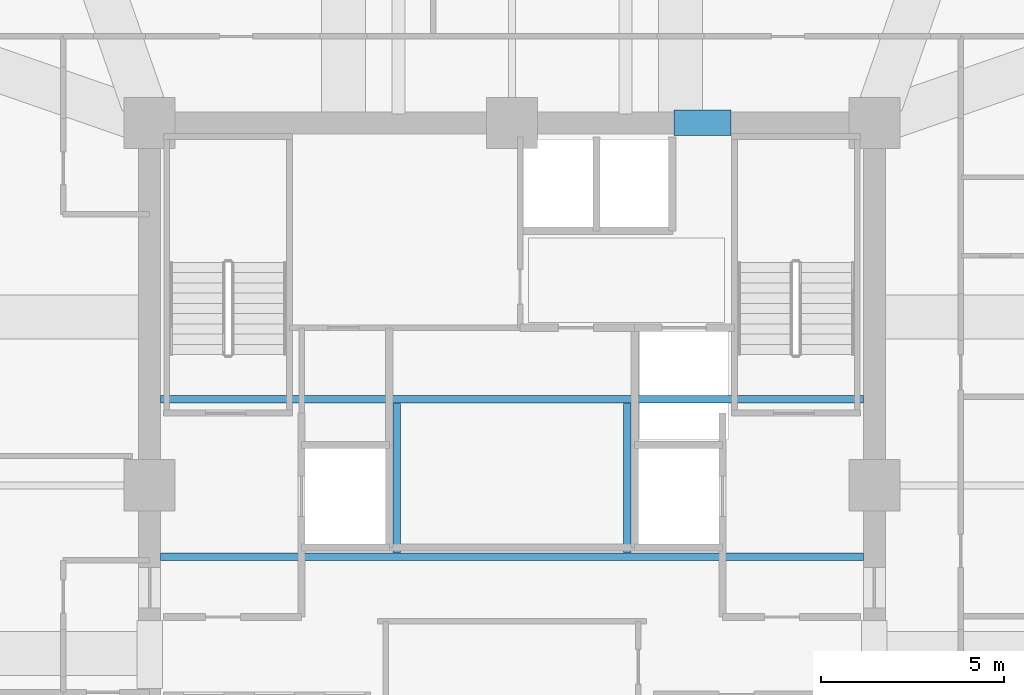
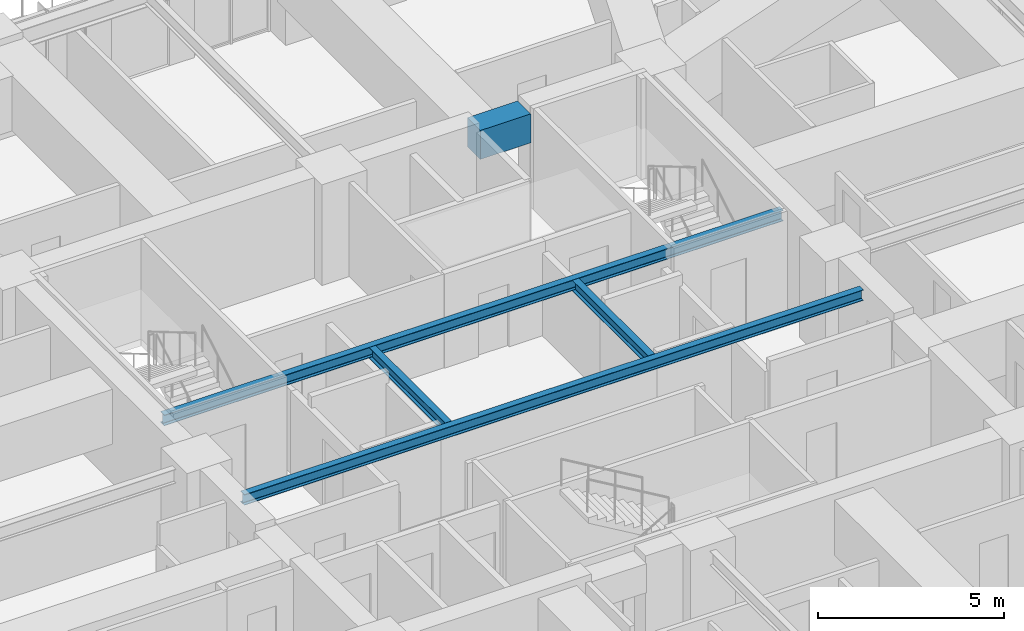
# One storey, part 11 of 34: 5 beams.
"""IFC4 building model written with IfcOpenShell, lengths in metres."""

from ifc_helpers import new_model, si_unit, direction, frame, origin, origin_2d, place, context, subcontext, project, spatial, rectangle, i_section, extrude, material, material_profile, profile_set, type_object, element, save


model = new_model("IFC4")

# Units and contexts
model_context = context("Model", 3, precision=1e-05, world=origin(), true_north=direction((0.0, 1.0)))
body_context = subcontext(model_context, "Body", "Model", "MODEL_VIEW")
ifc_project = project(units=[si_unit("LENGTHUNIT", "METRE"), si_unit("AREAUNIT", "SQUARE_METRE"), si_unit("VOLUMEUNIT", "CUBIC_METRE"), si_unit("PLANEANGLEUNIT", "RADIAN"), si_unit("MASSUNIT", "GRAM", prefix="KILO")], contexts=[model_context])

# Site, building, storey
site_placement = place(None, origin())
site = spatial("IfcSite", under=ifc_project, at=site_placement, CompositionType="ELEMENT")
building_placement = place(site_placement, origin())
building = spatial("IfcBuilding", under=site, at=building_placement, Name="Kolvaren Belvedere", CompositionType="ELEMENT")
storey_placement = place(building_placement, frame((0.0, 0.0, 105.199951171875)))
storey = spatial("IfcBuildingStorey", under=building, at=storey_placement, Name="L30", CompositionType="ELEMENT", Elevation=105.199951171875)

# Beams
ifc_material_1 = material(Name="Structural steel ASTM A992 Grade 50", Category="steel")
ifc_material_profile_1 = material_profile(ifc_material_1, i_section(OverallWidth=0.2041015625, OverallDepth=0.35009765625, WebThickness=0.008544921875, FlangeThickness=0.01513671875, FilletRadius=0.013916015625, at=origin_2d()), Name="W14X48")
ifc_profile_set_1 = profile_set([ifc_material_profile_1], Name="Structural steel ASTM A992 Grade 50")
beam_type_1 = type_object("IfcBeamType", Name="BM-ATRIUM-W14X48", PredefinedType="BEAM", material=ifc_profile_set_1)
for number, where, z_axis, x_axis, name in (
    (1, (-9.60009765625, -1.949951171875, 2.905029296875), (1.0, 0.0, 0.0), (0.0, 1.0, 0.0), "L30 Central Atrium South Girder AS"),
    (2, (-9.60009765625, 2.35009765625, 2.905029296875), (1.0, 0.0, 0.0), (0.0, 1.0, 0.0), "L30 Central Atrium North Girder AN"),
):
    element("IfcBeam", number, at=place(storey_placement, frame(where, z_axis=z_axis, x_axis=x_axis)), inside=storey, type_object=beam_type_1, Name=name, PredefinedType="BEAM", context=body_context, shape_type="SweptSolid", body=[
        extrude(i_section(OverallWidth=0.2041015625, OverallDepth=0.35009765625, WebThickness=0.008544921875, FlangeThickness=0.01513671875, FilletRadius=0.013916015625, at=origin_2d()), origin(), (0.0, 0.0, 1.0), 19.2001953125),
    ])
for number, where, z_axis, x_axis, name in (
    (3, (-3.14990234375, -1.840087890625, 2.905029296875), (0.0, 1.0, 0.0), (-1.0, 0.0, 0.0), "L30 Central Atrium West Edge Beam AW"),
    (4, (3.14990234375, -1.840087890625, 2.905029296875), (0.0, 1.0, 0.0), (-1.0, 0.0, 0.0), "L30 Central Atrium East Edge Beam AE"),
):
    element("IfcBeam", number, at=place(storey_placement, frame(where, z_axis=z_axis, x_axis=x_axis)), inside=storey, type_object=beam_type_1, Name=name, PredefinedType="BEAM", context=body_context, shape_type="SweptSolid", body=[
        extrude(i_section(OverallWidth=0.2041015625, OverallDepth=0.35009765625, WebThickness=0.008544921875, FlangeThickness=0.01513671875, FilletRadius=0.013916015625, at=origin_2d()), origin(), (0.0, 0.0, 1.0), 4.080078125),
    ])
ifc_material_2 = material(Name="Concrete C60/75", Category="concrete")
ifc_material_profile_2 = material_profile(ifc_material_2, rectangle(XDim=0.699951171875, YDim=0.949951171875, at=origin_2d()), Name="RC 700X950")
ifc_profile_set_2 = profile_set([ifc_material_profile_2], Name="Concrete C60/75")
beam_type_2 = type_object("IfcBeamType", Name="BM-LINT-950", PredefinedType="LINTEL", material=ifc_profile_set_2)
beam_placement = place(storey_placement, frame((4.419921875, 9.89990234375, 2.60498046875), z_axis=(1.0, 0.0, 0.0), x_axis=(0.0, 1.0, 0.0)))
element("IfcBeam", 5, at=beam_placement, inside=storey, type_object=beam_type_2, Name="L30 North Core Coupling Lintel", PredefinedType="LINTEL", context=body_context, shape_type="SweptSolid", body=[
    extrude(rectangle(XDim=0.699951171875, YDim=0.949951171875, at=origin_2d()), origin(), (0.0, 0.0, 1.0), 1.56005859375),
])

save(model, "model.ifc")
